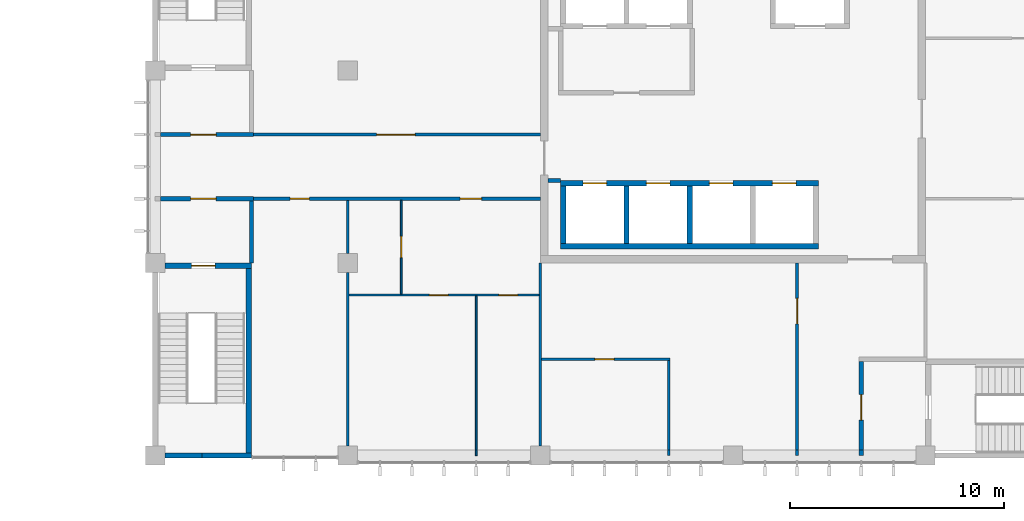
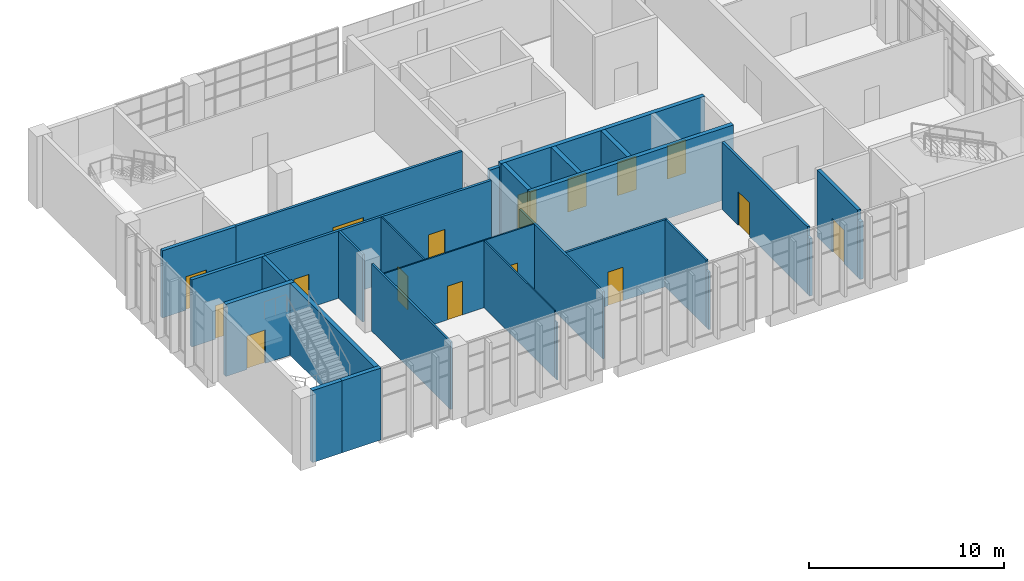
# One storey, part 31 of 45: 29 walls, 16 doors, 16 openings.
"""IFC4 building model written with IfcOpenShell, lengths in metres."""

from ifc_helpers import new_model, si_unit, direction, frame, frame_2d, origin, place, context, subcontext, project, spatial, rectangle, extrude, material, layer, layer_set, type_object, element, fill, save


model = new_model("IFC4")

# Units and contexts
model_context = context("Model", 3, precision=1e-05, world=origin(), true_north=direction((0.0, 1.0)))
body_context = subcontext(model_context, "Body", "Model", "MODEL_VIEW")
ifc_project = project(units=[si_unit("LENGTHUNIT", "METRE"), si_unit("AREAUNIT", "SQUARE_METRE"), si_unit("VOLUMEUNIT", "CUBIC_METRE"), si_unit("PLANEANGLEUNIT", "RADIAN"), si_unit("MASSUNIT", "GRAM", prefix="KILO")], contexts=[model_context])

# Site, building, storey
site_placement = place(None, origin())
site = spatial("IfcSite", under=ifc_project, at=site_placement, CompositionType="ELEMENT")
building_placement = place(site_placement, origin())
building = spatial("IfcBuilding", under=site, at=building_placement, Name="Guidao Yard Department Store", CompositionType="ELEMENT")
storey_placement = place(building_placement, frame((0.0, 0.0, 19.5)))
storey = spatial("IfcBuildingStorey", under=building, at=storey_placement, Name="L04", CompositionType="ELEMENT", Elevation=19.5)

# Wall, openings, doors
ifc_material_1 = material(Name="Gypsum Board")
ifc_layer_1 = layer(ifc_material_1, 0.14990234375)
ifc_layer_set_1 = layer_set([ifc_layer_1], Name="Corridor Partition 150 Gypsum Board EI 60")
wall_type_1 = type_object("IfcWallType", Name="Corridor Partition 150 Gypsum Board EI 60", PredefinedType="PARTITIONING", material=ifc_layer_set_1)
wall_1_placement = place(storey_placement, frame((130.39990234375, 12.0, 0.0), z_axis=(0.0, 0.0, 1.0), x_axis=(1.0, 0.0, 0.0)))
wall_1 = element("IfcWall", 1, at=wall_1_placement, inside=storey, type_object=wall_type_1, Name="pt.wall.L04.0006", PredefinedType="PARTITIONING", context=body_context, shape_type="SweptSolid", body=[
    extrude(rectangle(XDim=13.60009765625, YDim=0.14990234375, at=frame_2d((6.800048828125, 0.0))), origin(), (0.0, 0.0, 1.0), 4.199951171875),
])
opening_1_placement = place(wall_1_placement, frame((10.85009765625, 0.0, 0.0), z_axis=(0.0, 0.0, 1.0), x_axis=(-1.0, 0.0, 0.0)))
opening_1 = element("IfcOpeningElement", 2, at=opening_1_placement, cuts=wall_1, Name="Opening L04-407", PredefinedType="OPENING", context=body_context, shape_type="SweptSolid", body=[
    extrude(rectangle(XDim=1.0, YDim=2.10009765625, at=frame_2d((0.5, 1.050048828125))), frame((0.0, 0.0849609375, 0.0), z_axis=(0.0, -1.0, 0.0), x_axis=(1.0, 0.0, 0.0)), (0.0, 0.0, 1.0), 0.169921875),
])
opening_2_placement = place(wall_1_placement, frame((2.7998046875, 0.0, 0.0), z_axis=(0.0, 0.0, 1.0), x_axis=(-1.0, 0.0, 0.0)))
opening_2 = element("IfcOpeningElement", 3, at=opening_2_placement, cuts=wall_1, Name="Opening L04-411", PredefinedType="OPENING", context=body_context, shape_type="SweptSolid", body=[
    extrude(rectangle(XDim=0.89990234375, YDim=2.10009765625, at=frame_2d((0.449951171875, 1.050048828125))), frame((0.0, 0.0849609375, 0.0), z_axis=(0.0, -1.0, 0.0), x_axis=(1.0, 0.0, 0.0)), (0.0, 0.0, 1.0), 0.169921875),
])
ifc_material_2 = material(Name="Timber door leaf with Steel Q235 frame", Category="steel")
door_type_1 = type_object("IfcDoorType", Name="Door 1000 x 2100 FD30 Single Leaf", OperationType="SINGLE_SWING_LEFT", PredefinedType="DOOR", material=ifc_material_2)
door_1_placement = place(opening_1_placement, origin())
door_1 = element("IfcDoor", 4, at=door_1_placement, inside=storey, type_object=door_type_1, Name="Door L04-407", OperationType="SINGLE_SWING_LEFT", OverallHeight=2.10009765625, OverallWidth=1.0, PredefinedType="DOOR", context=body_context, shape_type="SweptSolid", body=[
    extrude(rectangle(XDim=1.0, YDim=2.10009765625, at=frame_2d((0.5, 1.050048828125))), frame((0.0, 0.02490234375, 0.0), z_axis=(0.0, -1.0, 0.0), x_axis=(1.0, 0.0, 0.0)), (0.0, 0.0, 1.0), 0.050048828125),
])
fill(opening_1, door_1)
ifc_material_3 = material(Name="Timber door leaf with Steel Q235 frame", Category="steel")
door_type_2 = type_object("IfcDoorType", Name="Door 900 x 2100 FD30 Single Leaf", OperationType="SINGLE_SWING_LEFT", PredefinedType="DOOR", material=ifc_material_3)
door_2_placement = place(opening_2_placement, origin())
door_2 = element("IfcDoor", 5, at=door_2_placement, inside=storey, type_object=door_type_2, Name="Door L04-411", OperationType="SINGLE_SWING_RIGHT", OverallHeight=2.10009765625, OverallWidth=0.89990234375, PredefinedType="DOOR", context=body_context, shape_type="SweptSolid", body=[
    extrude(rectangle(XDim=0.89990234375, YDim=2.10009765625, at=frame_2d((0.449951171875, 1.050048828125))), frame((0.0, 0.02490234375, 0.0), z_axis=(0.0, -1.0, 0.0), x_axis=(1.0, 0.0, 0.0)), (0.0, 0.0, 1.0), 0.050048828125),
])
fill(opening_2, door_2)

# Wall, opening, door
wall_2_placement = place(storey_placement, frame((130.39990234375, 15.0, 0.0), z_axis=(0.0, 0.0, 1.0), x_axis=(1.0, 0.0, 0.0)))
wall_2 = element("IfcWall", 6, at=wall_2_placement, inside=storey, type_object=wall_type_1, Name="pt.wall.L04.0010", PredefinedType="PARTITIONING", context=body_context, shape_type="SweptSolid", body=[
    extrude(rectangle(XDim=13.60009765625, YDim=0.14990234375, at=frame_2d((6.800048828125, 0.0))), origin(), (0.0, 0.0, 1.0), 4.199951171875),
])
opening_3_placement = place(wall_2_placement, frame((5.949951171875, 0.0, 0.0)))
opening_3 = element("IfcOpeningElement", 7, at=opening_3_placement, cuts=wall_2, Name="Opening L04-412", PredefinedType="OPENING", context=body_context, shape_type="SweptSolid", body=[
    extrude(rectangle(XDim=1.800048828125, YDim=2.10009765625, at=frame_2d((0.89990234375, 1.050048828125))), frame((0.0, 0.0849609375, 0.0), z_axis=(0.0, -1.0, 0.0), x_axis=(1.0, 0.0, 0.0)), (0.0, 0.0, 1.0), 0.169921875),
])
ifc_material_4 = material(Name="Timber door leaf with Steel Q235 frame", Category="steel")
door_type_3 = type_object("IfcDoorType", Name="Door 1800 x 2100 FD30 Double Leaf", OperationType="DOUBLE_DOOR_SINGLE_SWING", PredefinedType="DOOR", material=ifc_material_4)
door_3_placement = place(opening_3_placement, origin())
door_3 = element("IfcDoor", 8, at=door_3_placement, inside=storey, type_object=door_type_3, Name="Door L04-412", OperationType="DOUBLE_DOOR_SINGLE_SWING", OverallHeight=2.10009765625, OverallWidth=1.800048828125, PredefinedType="DOOR", context=body_context, shape_type="SweptSolid", body=[
    extrude(rectangle(XDim=1.800048828125, YDim=2.10009765625, at=frame_2d((0.89990234375, 1.050048828125))), frame((0.0, 0.02490234375, 0.0), z_axis=(0.0, -1.0, 0.0), x_axis=(1.0, 0.0, 0.0)), (0.0, 0.0, 1.0), 0.050048828125),
])
fill(opening_3, door_3)

# Wall
wall_3_placement = place(storey_placement, frame((156.0, 0.0, 0.0), z_axis=(0.0, 0.0, 1.0), x_axis=(0.0, 1.0, 0.0)))
element("IfcWall", 9, at=wall_3_placement, inside=storey, type_object=wall_type_1, Name="pt.wall.L04.0027", PredefinedType="PARTITIONING", context=body_context, shape_type="SweptSolid", body=[
    extrude(rectangle(XDim=0.25, YDim=0.14990234375, at=frame_2d((0.125, 0.0))), origin(), (0.0, 0.0, 1.0), 3.60009765625),
])

# Wall, opening, door
wall_4_placement = place(storey_placement, frame((156.0, 0.25, 0.0), z_axis=(0.0, 0.0, 1.0), x_axis=(0.0, 1.0, 0.0)))
wall_4 = element("IfcWall", 10, at=wall_4_placement, inside=storey, type_object=wall_type_1, Name="pt.wall.L04.0027a", PredefinedType="PARTITIONING", context=body_context, shape_type="SweptSolid", body=[
    extrude(rectangle(XDim=8.75, YDim=0.14990234375, at=frame_2d((4.375, 0.0))), origin(), (0.0, 0.0, 1.0), 4.199951171875),
])
opening_4_placement = place(wall_4_placement, frame((5.89990234375, 0.0, 0.0)))
opening_4 = element("IfcOpeningElement", 11, at=opening_4_placement, cuts=wall_4, Name="Opening L04-414", PredefinedType="OPENING", context=body_context, shape_type="SweptSolid", body=[
    extrude(rectangle(XDim=1.199951171875, YDim=2.10009765625, at=frame_2d((0.60009765625, 1.050048828125))), frame((0.0, 0.0849609375, 0.0), z_axis=(0.0, -1.0, 0.0), x_axis=(1.0, 0.0, 0.0)), (0.0, 0.0, 1.0), 0.169921875),
])
ifc_material_5 = material(Name="Timber door leaf with Steel Q235 frame", Category="steel")
door_type_4 = type_object("IfcDoorType", Name="Door 1200 x 2100 FD30 Single Leaf", OperationType="SINGLE_SWING_LEFT", PredefinedType="DOOR", material=ifc_material_5)
door_4_placement = place(opening_4_placement, origin())
door_4 = element("IfcDoor", 12, at=door_4_placement, inside=storey, type_object=door_type_4, Name="Door L04-414", OperationType="SINGLE_SWING_RIGHT", OverallHeight=2.10009765625, OverallWidth=1.199951171875, PredefinedType="DOOR", context=body_context, shape_type="SweptSolid", body=[
    extrude(rectangle(XDim=1.199951171875, YDim=2.10009765625, at=frame_2d((0.60009765625, 1.050048828125))), frame((0.0, 0.02490234375, 0.0), z_axis=(0.0, -1.0, 0.0), x_axis=(1.0, 0.0, 0.0)), (0.0, 0.0, 1.0), 0.050048828125),
])
fill(opening_4, door_4)

ifc_material_6 = material(Name="Gypsum Board")
ifc_layer_2 = layer(ifc_material_6, 0.1201171875)
ifc_layer_set_2 = layer_set([ifc_layer_2], Name="Partition 120 Gypsum Board EI 45")
wall_type_2 = type_object("IfcWallType", Name="Partition 120 Gypsum Board EI 45", PredefinedType="PARTITIONING", material=ifc_layer_set_2)
wall_5_placement = place(storey_placement, frame((144.06005859375, 4.5, 0.0), z_axis=(0.0, 0.0, 1.0), x_axis=(1.0, 0.0, 0.0)))
wall_5 = element("IfcWall", 13, at=wall_5_placement, inside=storey, type_object=wall_type_2, Name="pt.wall.L04.0001", PredefinedType="PARTITIONING", context=body_context, shape_type="SweptSolid", body=[
    extrude(rectangle(XDim=6.0, YDim=0.1201171875, at=frame_2d((3.0, 0.0))), origin(), (0.0, 0.0, 1.0), 4.199951171875),
])
opening_5_placement = place(wall_5_placement, frame((3.389892578125, 0.0, 0.0), z_axis=(0.0, 0.0, 1.0), x_axis=(-1.0, 0.0, 0.0)))
opening_5 = element("IfcOpeningElement", 14, at=opening_5_placement, cuts=wall_5, Name="Opening L04-415", PredefinedType="OPENING", context=body_context, shape_type="SweptSolid", body=[
    extrude(rectangle(XDim=0.89990234375, YDim=2.10009765625, at=frame_2d((0.449951171875, 1.050048828125))), frame((0.0, 0.070068359375, 0.0), z_axis=(0.0, -1.0, 0.0), x_axis=(1.0, 0.0, 0.0)), (0.0, 0.0, 1.0), 0.14013671875),
])
ifc_material_7 = material(Name="Timber door leaf with Steel Q235 frame", Category="steel")
door_type_5 = type_object("IfcDoorType", Name="Door 900 x 2100 NOT RATED Single Leaf", OperationType="SINGLE_SWING_LEFT", PredefinedType="DOOR", material=ifc_material_7)
door_5_placement = place(opening_5_placement, origin())
door_5 = element("IfcDoor", 15, at=door_5_placement, inside=storey, type_object=door_type_5, Name="Door L04-415", OperationType="SINGLE_SWING_RIGHT", OverallHeight=2.10009765625, OverallWidth=0.89990234375, PredefinedType="DOOR", context=body_context, shape_type="SweptSolid", body=[
    extrude(rectangle(XDim=0.89990234375, YDim=2.10009765625, at=frame_2d((0.449951171875, 1.050048828125))), frame((0.0, 0.02490234375, 0.0), z_axis=(0.0, -1.0, 0.0), x_axis=(1.0, 0.0, 0.0)), (0.0, 0.0, 1.0), 0.050048828125),
])
fill(opening_5, door_5)

# Walls
wall_6_placement = place(storey_placement, frame((135.0, 0.449951171875, 0.0), z_axis=(0.0, 0.0, 1.0), x_axis=(0.0, 1.0, 0.0)))
element("IfcWall", 16, at=wall_6_placement, inside=storey, type_object=wall_type_2, Name="pt.wall.L04.0018", PredefinedType="PARTITIONING", context=body_context, shape_type="SweptSolid", body=[
    extrude(rectangle(XDim=8.10009765625, YDim=0.1201171875, at=frame_2d((4.050048828125, 0.0))), origin(), (0.0, 0.0, 1.0), 4.199951171875),
])
wall_7_placement = place(storey_placement, frame((135.0, 9.449951171875, 0.0), z_axis=(0.0, 0.0, 1.0), x_axis=(0.0, 1.0, 0.0)))
element("IfcWall", 17, at=wall_7_placement, inside=storey, type_object=wall_type_2, Name="pt.wall.L04.0019", PredefinedType="PARTITIONING", context=body_context, shape_type="SweptSolid", body=[
    extrude(rectangle(XDim=2.47509765625, YDim=0.1201171875, at=frame_2d((1.237548828125, 0.0))), origin(), (0.0, 0.0, 1.0), 4.199951171875),
])
wall_8_placement = place(storey_placement, frame((144.0, 0.449951171875, 0.0), z_axis=(0.0, 0.0, 1.0), x_axis=(0.0, 1.0, 0.0)))
element("IfcWall", 18, at=wall_8_placement, inside=storey, type_object=wall_type_2, Name="pt.wall.L04.0022", PredefinedType="PARTITIONING", context=body_context, shape_type="SweptSolid", body=[
    extrude(rectangle(XDim=8.550048828125, YDim=0.1201171875, at=frame_2d((4.27490234375, 0.0))), origin(), (0.0, 0.0, 1.0), 4.199951171875),
])
wall_9_placement = place(storey_placement, frame((150.0, 0.0, 0.0), z_axis=(0.0, 0.0, 1.0), x_axis=(0.0, 1.0, 0.0)))
element("IfcWall", 19, at=wall_9_placement, inside=storey, type_object=wall_type_2, Name="pt.wall.L04.0025", PredefinedType="PARTITIONING", context=body_context, shape_type="SweptSolid", body=[
    extrude(rectangle(XDim=0.25, YDim=0.1201171875, at=frame_2d((0.125, 0.0))), origin(), (0.0, 0.0, 1.0), 3.60009765625),
])
wall_10_placement = place(storey_placement, frame((150.0, 0.25, 0.0), z_axis=(0.0, 0.0, 1.0), x_axis=(0.0, 1.0, 0.0)))
element("IfcWall", 20, at=wall_10_placement, inside=storey, type_object=wall_type_2, Name="pt.wall.L04.0025a", PredefinedType="PARTITIONING", context=body_context, shape_type="SweptSolid", body=[
    extrude(rectangle(XDim=4.18994140625, YDim=0.1201171875, at=frame_2d((2.094970703125, 0.0))), origin(), (0.0, 0.0, 1.0), 4.199951171875),
])

# Wall, openings, doors
ifc_material_8 = material(Name="Gypsum Board")
ifc_layer_3 = layer(ifc_material_8, 0.080078125)
ifc_layer_set_3 = layer_set([ifc_layer_3], Name="Sanitary Partition 80 Gypsum Board EI 45")
wall_type_3 = type_object("IfcWallType", Name="Sanitary Partition 80 Gypsum Board EI 45", PredefinedType="PARTITIONING", material=ifc_layer_set_3)
wall_11_placement = place(storey_placement, frame((135.06005859375, 7.5, 0.0), z_axis=(0.0, 0.0, 1.0), x_axis=(1.0, 0.0, 0.0)))
wall_11 = element("IfcWall", 21, at=wall_11_placement, inside=storey, type_object=wall_type_3, Name="pt.wall.L04.0003", PredefinedType="PARTITIONING", context=body_context, shape_type="SweptSolid", body=[
    extrude(rectangle(XDim=8.8798828125, YDim=0.080078125, at=frame_2d((4.43994140625, 0.0))), origin(), (0.0, 0.0, 1.0), 4.199951171875),
])
opening_6_placement = place(wall_11_placement, frame((4.639892578125, 0.0, 0.0), z_axis=(0.0, 0.0, 1.0), x_axis=(-1.0, 0.0, 0.0)))
opening_6 = element("IfcOpeningElement", 22, at=opening_6_placement, cuts=wall_11, Name="Opening L04-409", PredefinedType="OPENING", context=body_context, shape_type="SweptSolid", body=[
    extrude(rectangle(XDim=0.89990234375, YDim=2.10009765625, at=frame_2d((0.449951171875, 1.050048828125))), frame((0.0, 0.050048828125, 0.0), z_axis=(0.0, -1.0, 0.0), x_axis=(1.0, 0.0, 0.0)), (0.0, 0.0, 1.0), 0.10009765625),
])
opening_7_placement = place(wall_11_placement, frame((7.889892578125, 0.0, 0.0), z_axis=(0.0, 0.0, 1.0), x_axis=(-1.0, 0.0, 0.0)))
opening_7 = element("IfcOpeningElement", 23, at=opening_7_placement, cuts=wall_11, Name="Opening L04-410", PredefinedType="OPENING", context=body_context, shape_type="SweptSolid", body=[
    extrude(rectangle(XDim=0.89990234375, YDim=2.10009765625, at=frame_2d((0.449951171875, 1.050048828125))), frame((0.0, 0.050048828125, 0.0), z_axis=(0.0, -1.0, 0.0), x_axis=(1.0, 0.0, 0.0)), (0.0, 0.0, 1.0), 0.10009765625),
])
door_6_placement = place(opening_6_placement, origin())
door_6 = element("IfcDoor", 24, at=door_6_placement, inside=storey, type_object=door_type_5, Name="Door L04-409", OperationType="SINGLE_SWING_RIGHT", OverallHeight=2.10009765625, OverallWidth=0.89990234375, PredefinedType="DOOR", context=body_context, shape_type="SweptSolid", body=[
    extrude(rectangle(XDim=0.89990234375, YDim=2.10009765625, at=frame_2d((0.449951171875, 1.050048828125))), frame((0.0, 0.02490234375, 0.0), z_axis=(0.0, -1.0, 0.0), x_axis=(1.0, 0.0, 0.0)), (0.0, 0.0, 1.0), 0.050048828125),
])
fill(opening_6, door_6)
door_7_placement = place(opening_7_placement, origin())
door_7 = element("IfcDoor", 25, at=door_7_placement, inside=storey, type_object=door_type_5, Name="Door L04-410", OperationType="SINGLE_SWING_LEFT", OverallHeight=2.10009765625, OverallWidth=0.89990234375, PredefinedType="DOOR", context=body_context, shape_type="SweptSolid", body=[
    extrude(rectangle(XDim=0.89990234375, YDim=2.10009765625, at=frame_2d((0.449951171875, 1.050048828125))), frame((0.0, 0.02490234375, 0.0), z_axis=(0.0, -1.0, 0.0), x_axis=(1.0, 0.0, 0.0)), (0.0, 0.0, 1.0), 0.050048828125),
])
fill(opening_7, door_7)

# Wall, opening, door
wall_12_placement = place(storey_placement, frame((137.5, 7.5400390625, 0.0), z_axis=(0.0, 0.0, 1.0), x_axis=(0.0, 1.0, 0.0)))
wall_12 = element("IfcWall", 26, at=wall_12_placement, inside=storey, type_object=wall_type_3, Name="pt.wall.L04.0020", PredefinedType="PARTITIONING", context=body_context, shape_type="SweptSolid", body=[
    extrude(rectangle(XDim=4.385009765625, YDim=0.080078125, at=frame_2d((2.1923828125, 0.0))), origin(), (0.0, 0.0, 1.0), 4.199951171875),
])
opening_8_placement = place(wall_12_placement, frame((1.7099609375, 0.0, 0.0)))
opening_8 = element("IfcOpeningElement", 27, at=opening_8_placement, cuts=wall_12, Name="Opening L04-408", PredefinedType="OPENING", context=body_context, shape_type="SweptSolid", body=[
    extrude(rectangle(XDim=1.0, YDim=2.10009765625, at=frame_2d((0.5, 1.050048828125))), frame((0.0, 0.050048828125, 0.0), z_axis=(0.0, -1.0, 0.0), x_axis=(1.0, 0.0, 0.0)), (0.0, 0.0, 1.0), 0.10009765625),
])
ifc_material_9 = material(Name="Timber door leaf with Steel Q235 frame", Category="steel")
door_type_6 = type_object("IfcDoorType", Name="Door 1000 x 2100 NOT RATED Single Leaf", OperationType="SINGLE_SWING_LEFT", PredefinedType="DOOR", material=ifc_material_9)
door_8_placement = place(opening_8_placement, origin())
door_8 = element("IfcDoor", 28, at=door_8_placement, inside=storey, type_object=door_type_6, Name="Door L04-408", OperationType="SINGLE_SWING_RIGHT", OverallHeight=2.10009765625, OverallWidth=1.0, PredefinedType="DOOR", context=body_context, shape_type="SweptSolid", body=[
    extrude(rectangle(XDim=1.0, YDim=2.10009765625, at=frame_2d((0.5, 1.050048828125))), frame((0.0, 0.02490234375, 0.0), z_axis=(0.0, -1.0, 0.0), x_axis=(1.0, 0.0, 0.0)), (0.0, 0.0, 1.0), 0.050048828125),
])
fill(opening_8, door_8)

# Walls
wall_13_placement = place(storey_placement, frame((141.0, 0.0, 0.0), z_axis=(0.0, 0.0, 1.0), x_axis=(0.0, 1.0, 0.0)))
element("IfcWall", 29, at=wall_13_placement, inside=storey, type_object=wall_type_3, Name="pt.wall.L04.0021", PredefinedType="PARTITIONING", context=body_context, shape_type="SweptSolid", body=[
    extrude(rectangle(XDim=0.25, YDim=0.080078125, at=frame_2d((0.125, 0.0))), origin(), (0.0, 0.0, 1.0), 3.60009765625),
])
wall_14_placement = place(storey_placement, frame((141.0, 0.25, 0.0), z_axis=(0.0, 0.0, 1.0), x_axis=(0.0, 1.0, 0.0)))
element("IfcWall", 30, at=wall_14_placement, inside=storey, type_object=wall_type_3, Name="pt.wall.L04.0021a", PredefinedType="PARTITIONING", context=body_context, shape_type="SweptSolid", body=[
    extrude(rectangle(XDim=7.2099609375, YDim=0.080078125, at=frame_2d((3.60498046875, 0.0))), origin(), (0.0, 0.0, 1.0), 4.199951171875),
])

# Wall, opening, door
ifc_material_10 = material(Name="Autoclaved aerated concrete block A3.5 B06", Category="concrete")
ifc_layer_4 = layer(ifc_material_10, 0.199951171875)
ifc_layer_set_4 = layer_set([ifc_layer_4], Name="Shaft Wall 200 Autoclaved Block EI 120")
wall_type_4 = type_object("IfcWallType", Name="Shaft Wall 200 Autoclaved Block EI 120", PredefinedType="PARTITIONING", material=ifc_layer_set_4)
wall_15_placement = place(storey_placement, frame((126.25, 12.0, 0.0), z_axis=(0.0, 0.0, 1.0), x_axis=(1.0, 0.0, 0.0)))
wall_15 = element("IfcWall", 31, at=wall_15_placement, inside=storey, type_object=wall_type_4, Name="pt.wall.L04.0005a", PredefinedType="PARTITIONING", context=body_context, shape_type="SweptSolid", body=[
    extrude(rectangle(XDim=4.35009765625, YDim=0.199951171875, at=frame_2d((2.175048828125, 0.0))), origin(), (0.0, 0.0, 1.0), 4.199951171875),
])
opening_9_placement = place(wall_15_placement, frame((2.599853515625, 0.0, 0.0), z_axis=(0.0, 0.0, 1.0), x_axis=(-1.0, 0.0, 0.0)))
opening_9 = element("IfcOpeningElement", 32, at=opening_9_placement, cuts=wall_15, Name="Opening L04-401", PredefinedType="OPENING", context=body_context, shape_type="SweptSolid", body=[
    extrude(rectangle(XDim=1.199951171875, YDim=2.10009765625, at=frame_2d((0.60009765625, 1.050048828125))), frame((0.0, 0.10986328125, 0.0), z_axis=(0.0, -1.0, 0.0), x_axis=(1.0, 0.0, 0.0)), (0.0, 0.0, 1.0), 0.219970703125),
])
ifc_material_11 = material(Name="Timber door leaf with Steel Q235 frame", Category="steel")
door_type_7 = type_object("IfcDoorType", Name="Door 1200 x 2100 FD60 Single Leaf", OperationType="SINGLE_SWING_LEFT", PredefinedType="DOOR", material=ifc_material_11)
door_9_placement = place(opening_9_placement, origin())
door_9 = element("IfcDoor", 33, at=door_9_placement, inside=storey, type_object=door_type_7, Name="Door L04-401", OperationType="SINGLE_SWING_RIGHT", OverallHeight=2.10009765625, OverallWidth=1.199951171875, PredefinedType="DOOR", context=body_context, shape_type="SweptSolid", body=[
    extrude(rectangle(XDim=1.199951171875, YDim=2.10009765625, at=frame_2d((0.60009765625, 1.050048828125))), frame((0.0, 0.02490234375, 0.0), z_axis=(0.0, -1.0, 0.0), x_axis=(1.0, 0.0, 0.0)), (0.0, 0.0, 1.0), 0.050048828125),
])
fill(opening_9, door_9)

# Wall
wall_16_placement = place(storey_placement, frame((144.35009765625, 12.85009765625, 0.0), z_axis=(0.0, 0.0, 1.0), x_axis=(1.0, 0.0, 0.0)))
element("IfcWall", 34, at=wall_16_placement, inside=storey, type_object=wall_type_4, Name="pt.wall.L04.0008", PredefinedType="PARTITIONING", context=body_context, shape_type="SweptSolid", body=[
    extrude(rectangle(XDim=0.599853515625, YDim=0.199951171875, at=frame_2d((0.2998046875, 0.0))), origin(), (0.0, 0.0, 1.0), 4.199951171875),
])

# Wall, opening, door
wall_17_placement = place(storey_placement, frame((126.25, 15.0, 0.0), z_axis=(0.0, 0.0, 1.0), x_axis=(1.0, 0.0, 0.0)))
wall_17 = element("IfcWall", 35, at=wall_17_placement, inside=storey, type_object=wall_type_4, Name="pt.wall.L04.0009a", PredefinedType="PARTITIONING", context=body_context, shape_type="SweptSolid", body=[
    extrude(rectangle(XDim=4.35009765625, YDim=0.199951171875, at=frame_2d((2.175048828125, 0.0))), origin(), (0.0, 0.0, 1.0), 4.199951171875),
])
opening_10_placement = place(wall_17_placement, frame((1.39990234375, 0.0, 0.0)))
opening_10 = element("IfcOpeningElement", 36, at=opening_10_placement, cuts=wall_17, Name="Opening L04-403", PredefinedType="OPENING", context=body_context, shape_type="SweptSolid", body=[
    extrude(rectangle(XDim=1.199951171875, YDim=2.10009765625, at=frame_2d((0.60009765625, 1.050048828125))), frame((0.0, 0.10986328125, 0.0), z_axis=(0.0, -1.0, 0.0), x_axis=(1.0, 0.0, 0.0)), (0.0, 0.0, 1.0), 0.219970703125),
])
door_10_placement = place(opening_10_placement, origin())
door_10 = element("IfcDoor", 37, at=door_10_placement, inside=storey, type_object=door_type_7, Name="Door L04-403", OperationType="SINGLE_SWING_LEFT", OverallHeight=2.10009765625, OverallWidth=1.199951171875, PredefinedType="DOOR", context=body_context, shape_type="SweptSolid", body=[
    extrude(rectangle(XDim=1.199951171875, YDim=2.10009765625, at=frame_2d((0.60009765625, 1.050048828125))), frame((0.0, 0.02490234375, 0.0), z_axis=(0.0, -1.0, 0.0), x_axis=(1.0, 0.0, 0.0)), (0.0, 0.0, 1.0), 0.050048828125),
])
fill(opening_10, door_10)

# Walls
wall_18_placement = place(storey_placement, frame((130.5, 9.0, 0.0), z_axis=(0.0, 0.0, 1.0), x_axis=(0.0, 1.0, 0.0)))
element("IfcWall", 38, at=wall_18_placement, inside=storey, type_object=wall_type_4, Name="pt.wall.L04.0016", PredefinedType="PARTITIONING", context=body_context, shape_type="SweptSolid", body=[
    extrude(rectangle(XDim=2.89990234375, YDim=0.199951171875, at=frame_2d((1.449951171875, 0.0))), origin(), (0.0, 0.0, 1.0), 4.199951171875),
])
wall_19_placement = place(storey_placement, frame((159.0, 0.0, 0.0), z_axis=(0.0, 0.0, 1.0), x_axis=(0.0, 1.0, 0.0)))
element("IfcWall", 39, at=wall_19_placement, inside=storey, type_object=wall_type_4, Name="pt.wall.L04.0028", PredefinedType="PARTITIONING", context=body_context, shape_type="SweptSolid", body=[
    extrude(rectangle(XDim=0.25, YDim=0.199951171875, at=frame_2d((0.125, 0.0))), origin(), (0.0, 0.0, 1.0), 3.60009765625),
])

# Wall, opening, door
wall_20_placement = place(storey_placement, frame((159.0, 0.25, 0.0), z_axis=(0.0, 0.0, 1.0), x_axis=(0.0, 1.0, 0.0)))
wall_20 = element("IfcWall", 40, at=wall_20_placement, inside=storey, type_object=wall_type_4, Name="pt.wall.L04.0028a", PredefinedType="PARTITIONING", context=body_context, shape_type="SweptSolid", body=[
    extrude(rectangle(XDim=4.14990234375, YDim=0.199951171875, at=frame_2d((2.074951171875, 0.0))), origin(), (0.0, 0.0, 1.0), 4.199951171875),
])
opening_11_placement = place(wall_20_placement, frame((2.599853515625, 0.0, 0.0), z_axis=(0.0, 0.0, 1.0), x_axis=(-1.0, 0.0, 0.0)))
opening_11 = element("IfcOpeningElement", 41, at=opening_11_placement, cuts=wall_20, Name="Opening L04-402", PredefinedType="OPENING", context=body_context, shape_type="SweptSolid", body=[
    extrude(rectangle(XDim=1.199951171875, YDim=2.10009765625, at=frame_2d((0.60009765625, 1.050048828125))), frame((0.0, 0.10986328125, 0.0), z_axis=(0.0, -1.0, 0.0), x_axis=(1.0, 0.0, 0.0)), (0.0, 0.0, 1.0), 0.219970703125),
])
door_11_placement = place(opening_11_placement, origin())
door_11 = element("IfcDoor", 42, at=door_11_placement, inside=storey, type_object=door_type_7, Name="Door L04-402", OperationType="SINGLE_SWING_RIGHT", OverallHeight=2.10009765625, OverallWidth=1.199951171875, PredefinedType="DOOR", context=body_context, shape_type="SweptSolid", body=[
    extrude(rectangle(XDim=1.199951171875, YDim=2.10009765625, at=frame_2d((0.60009765625, 1.050048828125))), frame((0.0, 0.02490234375, 0.0), z_axis=(0.0, -1.0, 0.0), x_axis=(1.0, 0.0, 0.0)), (0.0, 0.0, 1.0), 0.050048828125),
])
fill(opening_11, door_11)

# Walls
ifc_material_12 = material(Name="Concrete C40", Category="concrete")
ifc_layer_5 = layer(ifc_material_12, 0.25)
ifc_layer_set_5 = layer_set([ifc_layer_5], Name="Wall RC 250 C40 stair and shaft")
wall_type_5 = type_object("IfcWallType", Name="Wall RC 250 C40 stair and shaft", PredefinedType="SHEAR", material=ifc_layer_set_5)
wall_21_placement = place(storey_placement, frame((126.449951171875, 0.0, 0.0), z_axis=(0.0, 0.0, 1.0), x_axis=(1.0, 0.0, 0.0)))
element("IfcWall", 43, at=wall_21_placement, inside=storey, type_object=wall_type_5, Name="Stair wall SO1", PredefinedType="SHEAR", context=body_context, shape_type="SweptSolid", body=[
    extrude(rectangle(XDim=1.738037109375, YDim=0.25, at=frame_2d((0.869140625, 0.0))), origin(), (0.0, 0.0, 1.0), 4.5),
])
wall_22_placement = place(storey_placement, frame((128.18798828125, 0.0, 0.0), z_axis=(0.0, 0.0, 1.0), x_axis=(1.0, 0.0, 0.0)))
element("IfcWall", 44, at=wall_22_placement, inside=storey, type_object=wall_type_5, Name="Stair wall SO1", PredefinedType="SHEAR", context=body_context, shape_type="SweptSolid", body=[
    extrude(rectangle(XDim=2.31201171875, YDim=0.25, at=frame_2d((1.156005859375, 0.0))), origin(), (0.0, 0.0, 1.0), 4.5),
])

# Wall, opening, door
wall_23_placement = place(storey_placement, frame((126.449951171875, 8.875, 0.0), z_axis=(0.0, 0.0, 1.0), x_axis=(1.0, 0.0, 0.0)))
wall_23 = element("IfcWall", 45, at=wall_23_placement, inside=storey, type_object=wall_type_5, Name="Stair wall SO1", PredefinedType="SHEAR", context=body_context, shape_type="SweptSolid", body=[
    extrude(rectangle(XDim=4.050048828125, YDim=0.25, at=frame_2d((2.02490234375, 0.0))), origin(), (0.0, 0.0, 1.0), 4.5),
])
opening_12_placement = place(wall_23_placement, frame((2.35009765625, 0.0, 0.0), z_axis=(0.0, 0.0, 1.0), x_axis=(-1.0, 0.0, 0.0)))
opening_12 = element("IfcOpeningElement", 46, at=opening_12_placement, cuts=wall_23, Name="Opening L04-808", PredefinedType="OPENING", context=body_context, shape_type="SweptSolid", body=[
    extrude(rectangle(XDim=1.10009765625, YDim=2.10009765625, at=frame_2d((0.550048828125, 1.050048828125))), frame((0.0, 0.135009765625, 0.0), z_axis=(0.0, -1.0, 0.0), x_axis=(1.0, 0.0, 0.0)), (0.0, 0.0, 1.0), 0.27001953125),
])
ifc_material_13 = material(Name="Steel Q235", Category="steel")
door_type_8 = type_object("IfcDoorType", Name="Door fire-resisting 1100 x 2100 FD60", OperationType="SINGLE_SWING_LEFT", PredefinedType="DOOR", material=ifc_material_13)
door_12_placement = place(opening_12_placement, origin())
door_12 = element("IfcDoor", 47, at=door_12_placement, inside=storey, type_object=door_type_8, Name="Stair O1 door L04", OperationType="SINGLE_SWING_RIGHT", OverallHeight=2.10009765625, OverallWidth=1.10009765625, PredefinedType="DOOR", context=body_context, shape_type="SweptSolid", body=[
    extrude(rectangle(XDim=1.10009765625, YDim=2.10009765625, at=frame_2d((0.550048828125, 1.050048828125))), frame((0.0, 0.02490234375, 0.0), z_axis=(0.0, -1.0, 0.0), x_axis=(1.0, 0.0, 0.0)), (0.0, 0.0, 1.0), 0.050048828125),
])
fill(opening_12, door_12)

# Wall
wall_24_placement = place(storey_placement, frame((130.375, 0.125, 0.0), z_axis=(0.0, 0.0, 1.0), x_axis=(0.0, 1.0, 0.0)))
element("IfcWall", 48, at=wall_24_placement, inside=storey, type_object=wall_type_5, Name="Stair wall SO1", PredefinedType="SHEAR", context=body_context, shape_type="SweptSolid", body=[
    extrude(rectangle(XDim=8.625, YDim=0.25, at=frame_2d((4.3125, 0.0))), origin(), (0.0, 0.0, 1.0), 4.5),
])

# Wall, openings, doors
wall_25_placement = place(storey_placement, frame((144.949951171875, 12.72509765625, 0.0), z_axis=(0.0, 0.0, 1.0), x_axis=(1.0, 0.0, 0.0)))
wall_25 = element("IfcWall", 49, at=wall_25_placement, inside=storey, type_object=wall_type_5, Name="Lift shaft wall OL1 to OL4", PredefinedType="SHEAR", context=body_context, shape_type="SweptSolid", body=[
    extrude(rectangle(XDim=12.050048828125, YDim=0.25, at=frame_2d((6.02490234375, 0.0))), origin(), (0.0, 0.0, 1.0), 4.5),
])
opening_13_placement = place(wall_25_placement, frame((1.050048828125, 0.0, 0.0)))
opening_13 = element("IfcOpeningElement", 50, at=opening_13_placement, cuts=wall_25, Name="Opening LD-OL1-L04", PredefinedType="OPENING", context=body_context, shape_type="SweptSolid", body=[
    extrude(rectangle(XDim=1.10009765625, YDim=2.10009765625, at=frame_2d((0.550048828125, 1.050048828125))), frame((0.0, 0.135009765625, 0.0), z_axis=(0.0, -1.0, 0.0), x_axis=(1.0, 0.0, 0.0)), (0.0, 0.0, 1.0), 0.27001953125),
])
opening_14_placement = place(wall_25_placement, frame((4.0, 0.0, 0.0)))
opening_14 = element("IfcOpeningElement", 51, at=opening_14_placement, cuts=wall_25, Name="Opening LD-OL2-L04", PredefinedType="OPENING", context=body_context, shape_type="SweptSolid", body=[
    extrude(rectangle(XDim=1.10009765625, YDim=2.10009765625, at=frame_2d((0.550048828125, 1.050048828125))), frame((0.0, 0.135009765625, 0.0), z_axis=(0.0, -1.0, 0.0), x_axis=(1.0, 0.0, 0.0)), (0.0, 0.0, 1.0), 0.27001953125),
])
opening_15_placement = place(wall_25_placement, frame((6.949951171875, 0.0, 0.0)))
opening_15 = element("IfcOpeningElement", 52, at=opening_15_placement, cuts=wall_25, Name="Opening LD-OL3-L04", PredefinedType="OPENING", context=body_context, shape_type="SweptSolid", body=[
    extrude(rectangle(XDim=1.10009765625, YDim=2.10009765625, at=frame_2d((0.550048828125, 1.050048828125))), frame((0.0, 0.135009765625, 0.0), z_axis=(0.0, -1.0, 0.0), x_axis=(1.0, 0.0, 0.0)), (0.0, 0.0, 1.0), 0.27001953125),
])
opening_16_placement = place(wall_25_placement, frame((9.89990234375, 0.0, 0.0)))
opening_16 = element("IfcOpeningElement", 53, at=opening_16_placement, cuts=wall_25, Name="Opening LD-OL4-L04", PredefinedType="OPENING", context=body_context, shape_type="SweptSolid", body=[
    extrude(rectangle(XDim=1.10009765625, YDim=2.10009765625, at=frame_2d((0.550048828125, 1.050048828125))), frame((0.0, 0.135009765625, 0.0), z_axis=(0.0, -1.0, 0.0), x_axis=(1.0, 0.0, 0.0)), (0.0, 0.0, 1.0), 0.27001953125),
])
ifc_material_14 = material(Name="Stainless steel 06Cr19Ni10", Category="steel")
door_type_9 = type_object("IfcDoorType", Name="Lift landing door fire-resisting sliding 1100 x 2100", OperationType="DOUBLE_DOOR_SLIDING", PredefinedType="DOOR", material=ifc_material_14)
door_13_placement = place(opening_13_placement, origin())
door_13 = element("IfcDoor", 54, at=door_13_placement, inside=storey, type_object=door_type_9, Name="Lift landing door OL1 L04", OperationType="DOUBLE_DOOR_SLIDING", OverallHeight=2.10009765625, OverallWidth=1.10009765625, PredefinedType="DOOR", context=body_context, shape_type="SweptSolid", body=[
    extrude(rectangle(XDim=1.10009765625, YDim=2.10009765625, at=frame_2d((0.550048828125, 1.050048828125))), frame((0.0, 0.02490234375, 0.0), z_axis=(0.0, -1.0, 0.0), x_axis=(1.0, 0.0, 0.0)), (0.0, 0.0, 1.0), 0.050048828125),
])
fill(opening_13, door_13)
door_14_placement = place(opening_14_placement, origin())
door_14 = element("IfcDoor", 55, at=door_14_placement, inside=storey, type_object=door_type_9, Name="Lift landing door OL2 L04", OperationType="DOUBLE_DOOR_SLIDING", OverallHeight=2.10009765625, OverallWidth=1.10009765625, PredefinedType="DOOR", context=body_context, shape_type="SweptSolid", body=[
    extrude(rectangle(XDim=1.10009765625, YDim=2.10009765625, at=frame_2d((0.550048828125, 1.050048828125))), frame((0.0, 0.02490234375, 0.0), z_axis=(0.0, -1.0, 0.0), x_axis=(1.0, 0.0, 0.0)), (0.0, 0.0, 1.0), 0.050048828125),
])
fill(opening_14, door_14)
door_15_placement = place(opening_15_placement, origin())
door_15 = element("IfcDoor", 56, at=door_15_placement, inside=storey, type_object=door_type_9, Name="Lift landing door OL3 L04", OperationType="DOUBLE_DOOR_SLIDING", OverallHeight=2.10009765625, OverallWidth=1.10009765625, PredefinedType="DOOR", context=body_context, shape_type="SweptSolid", body=[
    extrude(rectangle(XDim=1.10009765625, YDim=2.10009765625, at=frame_2d((0.550048828125, 1.050048828125))), frame((0.0, 0.02490234375, 0.0), z_axis=(0.0, -1.0, 0.0), x_axis=(1.0, 0.0, 0.0)), (0.0, 0.0, 1.0), 0.050048828125),
])
fill(opening_15, door_15)
door_16_placement = place(opening_16_placement, origin())
door_16 = element("IfcDoor", 57, at=door_16_placement, inside=storey, type_object=door_type_9, Name="Lift landing door OL4 L04", OperationType="DOUBLE_DOOR_SLIDING", OverallHeight=2.10009765625, OverallWidth=1.10009765625, PredefinedType="DOOR", context=body_context, shape_type="SweptSolid", body=[
    extrude(rectangle(XDim=1.10009765625, YDim=2.10009765625, at=frame_2d((0.550048828125, 1.050048828125))), frame((0.0, 0.02490234375, 0.0), z_axis=(0.0, -1.0, 0.0), x_axis=(1.0, 0.0, 0.0)), (0.0, 0.0, 1.0), 0.050048828125),
])
fill(opening_16, door_16)

# Walls
wall_26_placement = place(storey_placement, frame((144.949951171875, 9.77490234375, 0.0), z_axis=(0.0, 0.0, 1.0), x_axis=(1.0, 0.0, 0.0)))
element("IfcWall", 58, at=wall_26_placement, inside=storey, type_object=wall_type_5, Name="Lift shaft wall OL1 to OL4", PredefinedType="SHEAR", context=body_context, shape_type="SweptSolid", body=[
    extrude(rectangle(XDim=12.050048828125, YDim=0.25, at=frame_2d((6.02490234375, 0.0))), origin(), (0.0, 0.0, 1.0), 4.5),
])
for number, where, z_axis, x_axis, name in (
    (59, (145.074951171875, 9.89990234375, 0.0), (0.0, 0.0, 1.0), (0.0, 1.0, 0.0), "Lift shaft wall OL1 to OL4"),
    (60, (148.02490234375, 9.89990234375, 0.0), (0.0, 0.0, 1.0), (0.0, 1.0, 0.0), "Lift shaft wall OL1 to OL4"),
    (61, (150.97509765625, 9.89990234375, 0.0), (0.0, 0.0, 1.0), (0.0, 1.0, 0.0), "Lift shaft wall OL1 to OL4"),
):
    element("IfcWall", number, at=place(storey_placement, frame(where, z_axis=z_axis, x_axis=x_axis)), inside=storey, type_object=wall_type_5, Name=name, PredefinedType="SHEAR", context=body_context, shape_type="SweptSolid", body=[
        extrude(rectangle(XDim=2.7001953125, YDim=0.25, at=frame_2d((1.35009765625, 0.0))), origin(), (0.0, 0.0, 1.0), 4.5),
    ])

save(model, "model.ifc")
